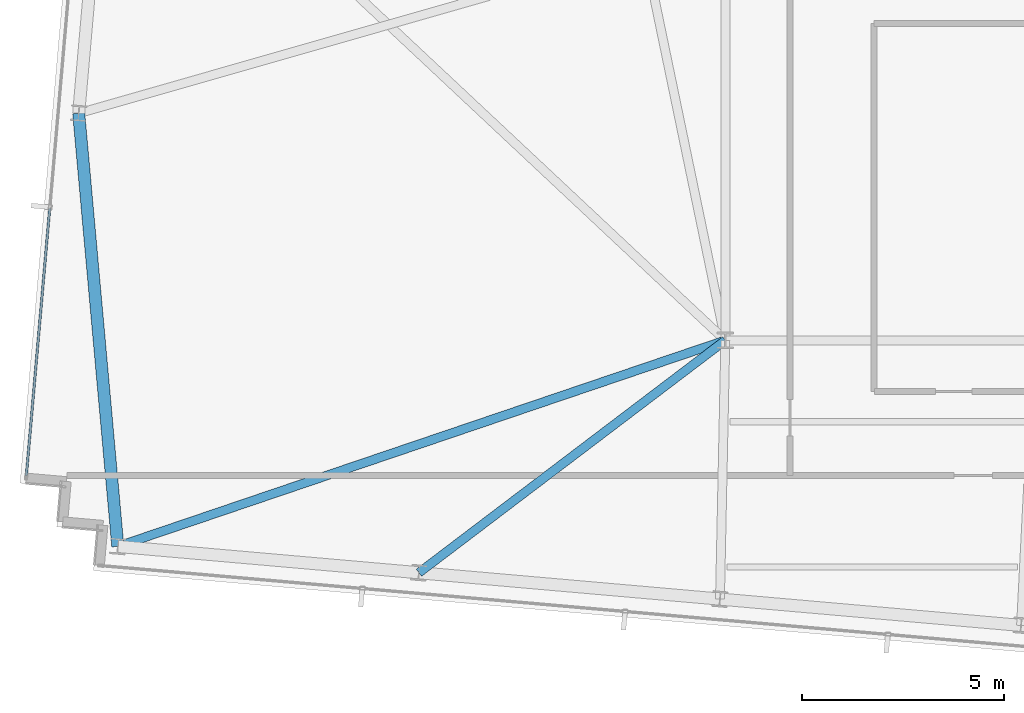
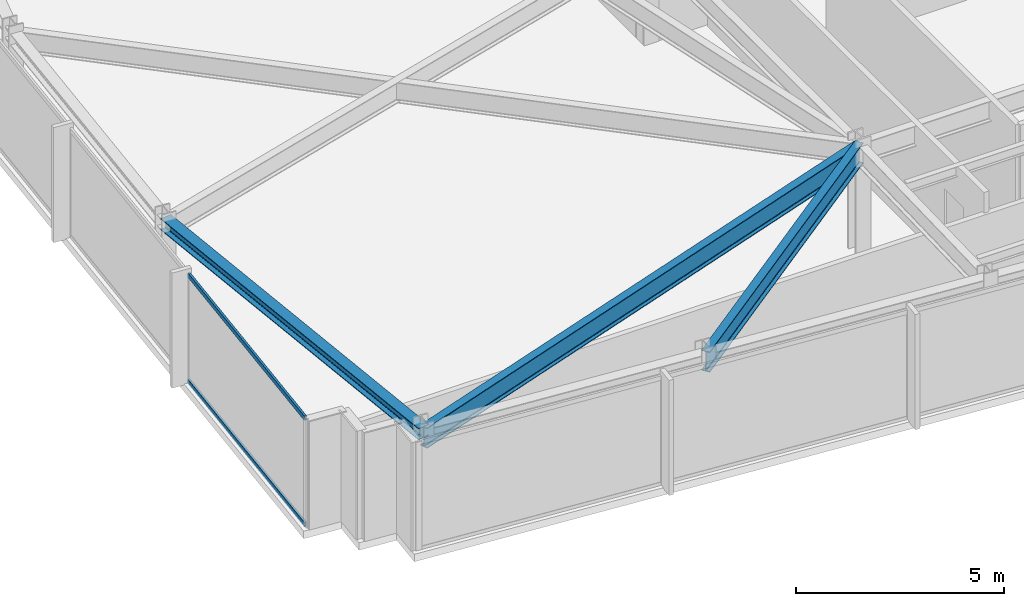
# One storey, part 4 of 32: 3 beams, 2 members, 1 element without a shape of its own.
"""IFC4 building model written with IfcOpenShell, lengths in metres."""

from ifc_helpers import new_model, si_unit, direction, frame, origin, origin_2d, place, context, subcontext, project, spatial, hollow_rectangle, i_section, extrude, material, material_profile, profile_set, type_object, element, aggregate, save


model = new_model("IFC4")

# Units and contexts
model_context = context("Model", 3, precision=1e-05, world=origin(), true_north=direction((0.0, 1.0)))
body_context = subcontext(model_context, "Body", "Model", "MODEL_VIEW")
ifc_project = project(units=[si_unit("LENGTHUNIT", "METRE"), si_unit("AREAUNIT", "SQUARE_METRE"), si_unit("VOLUMEUNIT", "CUBIC_METRE"), si_unit("PLANEANGLEUNIT", "RADIAN"), si_unit("MASSUNIT", "GRAM", prefix="KILO")], contexts=[model_context])

# Site, building, storey
site_placement = place(None, origin())
site = spatial("IfcSite", under=ifc_project, at=site_placement, CompositionType="ELEMENT")
building_placement = place(site_placement, origin())
building = spatial("IfcBuilding", under=site, at=building_placement, Name="Yelkora Congress Tower", CompositionType="ELEMENT")
storey_placement = place(building_placement, frame((0.0, 0.0, 279.5)))
storey = spatial("IfcBuildingStorey", under=building, at=storey_placement, Name="L78", CompositionType="ELEMENT", Elevation=279.5)

# Beams
ifc_material_1 = material(Name="Steel S355J2", Category="steel")
ifc_material_profile_1 = material_profile(ifc_material_1, i_section(OverallWidth=0.219970703125, OverallDepth=0.60009765625, WebThickness=0.011962890625, FlangeThickness=0.01904296875, FilletRadius=0.02392578125, at=origin_2d()), Name="IPE 600")
ifc_profile_set_1 = profile_set([ifc_material_profile_1], Name="Steel S355J2")
beam_type_1 = type_object("IfcBeamType", Name="BM-GIRD-IPE600", PredefinedType="BEAM", material=ifc_profile_set_1)
beam_1_placement = place(storey_placement, frame((7.998046875, 20.097900390625, 2.8798828125), z_axis=(0.947007090502, 0.321212656257, 0.0), x_axis=(-0.321212656257, 0.947007090502, 0.0)))
element("IfcBeam", 1, at=beam_1_placement, inside=storey, type_object=beam_type_1, Name="L78 Primary Frame Girder S01", PredefinedType="BEAM", context=body_context, shape_type="SweptSolid", body=[
    extrude(i_section(OverallWidth=0.219970703125, OverallDepth=0.60009765625, WebThickness=0.011962890625, FlangeThickness=0.01904296875, FilletRadius=0.02392578125, at=origin_2d()), origin(), (0.0, 0.0, 1.0), 15.8837890625),
])
beam_2_placement = place(storey_placement, frame((15.452880859375, 19.445556640625, 2.8798828125), z_axis=(0.79676107913, 0.6042944504, 0.0), x_axis=(-0.6042944504, 0.79676107913, 0.0)))
element("IfcBeam", 2, at=beam_2_placement, inside=storey, type_object=beam_type_1, Name="L78 Primary Frame Girder S02", PredefinedType="BEAM", context=body_context, shape_type="SweptSolid", body=[
    extrude(i_section(OverallWidth=0.219970703125, OverallDepth=0.60009765625, WebThickness=0.011962890625, FlangeThickness=0.01904296875, FilletRadius=0.02392578125, at=origin_2d()), origin(), (0.0, 0.0, 1.0), 9.5224609375),
])
ifc_material_profile_2 = material_profile(ifc_material_1, i_section(OverallWidth=0.300048828125, OverallDepth=0.340087890625, WebThickness=0.011962890625, FlangeThickness=0.021484375, FilletRadius=0.027099609375, at=origin_2d()), Name="HEB 340")
ifc_profile_set_2 = profile_set([ifc_material_profile_2], Name="Steel S355J2")
beam_type_2 = type_object("IfcBeamType", Name="BM-SPAN-HEB340", PredefinedType="SPANDREL", material=ifc_profile_set_2)
beam_3_placement = place(storey_placement, frame((7.029052734375, 30.822998046875, 3.010009765625), z_axis=(0.08998177561, -0.995943412076, 0.0), x_axis=(0.995943412076, 0.08998177561, 0.0)))
element("IfcBeam", 3, at=beam_3_placement, inside=storey, type_object=beam_type_2, Name="L78 Perimeter Beam 15", PredefinedType="SPANDREL", context=body_context, shape_type="SweptSolid", body=[
    extrude(i_section(OverallWidth=0.300048828125, OverallDepth=0.340087890625, WebThickness=0.011962890625, FlangeThickness=0.021484375, FilletRadius=0.027099609375, at=origin_2d()), origin(), (0.0, 0.0, 1.0), 10.768798828125),
])

# Curtain wall, members
ifc_material_2 = material(Name="Anodised aluminium and insulated glass", Category="aluminium")
curtain_wall_type = type_object("IfcCurtainWallType", Name="CW-SYS-B5", PredefinedType="NOTDEFINED", material=ifc_material_2)
curtain_wall_placement = place(storey_placement, origin())
curtain_wall = element("IfcCurtainWall", 4, at=curtain_wall_placement, inside=storey, type_object=curtain_wall_type, Name="L78 Unitised Curtain Wall 5", PredefinedType="NOTDEFINED")
ifc_material_3 = material(Name="Anodised aluminium 6063-T6", Category="aluminium")
ifc_material_profile_3 = material_profile(ifc_material_3, hollow_rectangle(XDim=0.06005859375, YDim=0.1298828125, WallThickness=0.00390625, at=origin_2d()), Name="ALU 60x130x4")
ifc_profile_set_3 = profile_set([ifc_material_profile_3], Name="Anodised aluminium 6063-T6")
member_type = type_object("IfcMemberType", Name="MEM-TR-B5", PredefinedType="USERDEFINED", material=ifc_profile_set_3)
member_1_placement = place(storey_placement, frame((5.732666015625, 21.85693359375, 0.030029296875), z_axis=(0.08716649365, 0.996193757451, 0.0), x_axis=(-0.996193757451, 0.08716649365, 0.0)))
member_1 = element("IfcMember", 5, at=member_1_placement, type_object=member_type, Name="CW-B5 transom 1.1", ObjectType="TRANSOM", PredefinedType="USERDEFINED", context=body_context, shape_type="SweptSolid", body=[
    extrude(hollow_rectangle(XDim=0.06005859375, YDim=0.1298828125, WallThickness=0.00390625, at=origin_2d()), origin(), (0.0, 0.0, 1.0), 6.63232421875),
])
member_2_placement = place(storey_placement, frame((5.732666015625, 21.85693359375, 3.14990234375), z_axis=(0.08716649365, 0.996193757451, 0.0), x_axis=(-0.996193757451, 0.08716649365, 0.0)))
member_2 = element("IfcMember", 6, at=member_2_placement, type_object=member_type, Name="CW-B5 transom 1.2", ObjectType="TRANSOM", PredefinedType="USERDEFINED", context=body_context, shape_type="SweptSolid", body=[
    extrude(hollow_rectangle(XDim=0.06005859375, YDim=0.1298828125, WallThickness=0.00390625, at=origin_2d()), origin(), (0.0, 0.0, 1.0), 6.63232421875),
])
aggregate(curtain_wall, [member_1, member_2])

save(model, "model.ifc")
